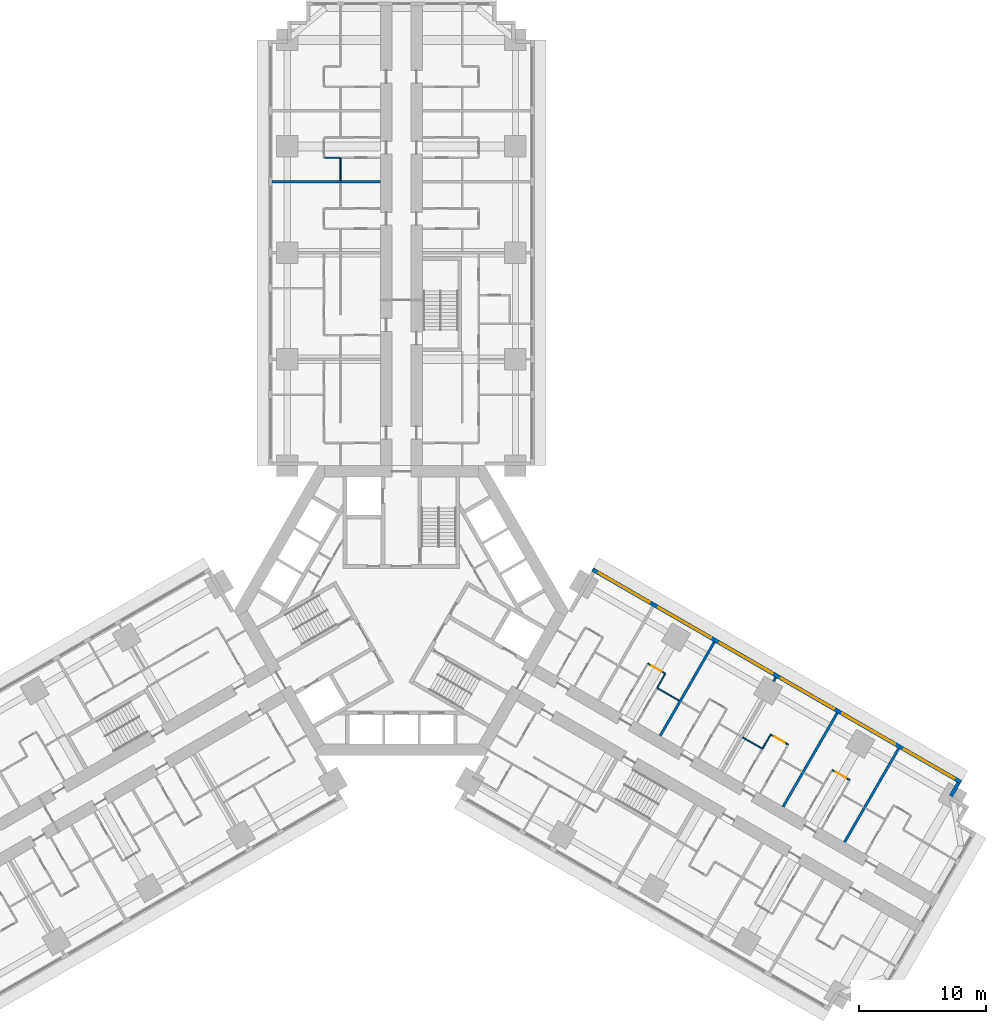
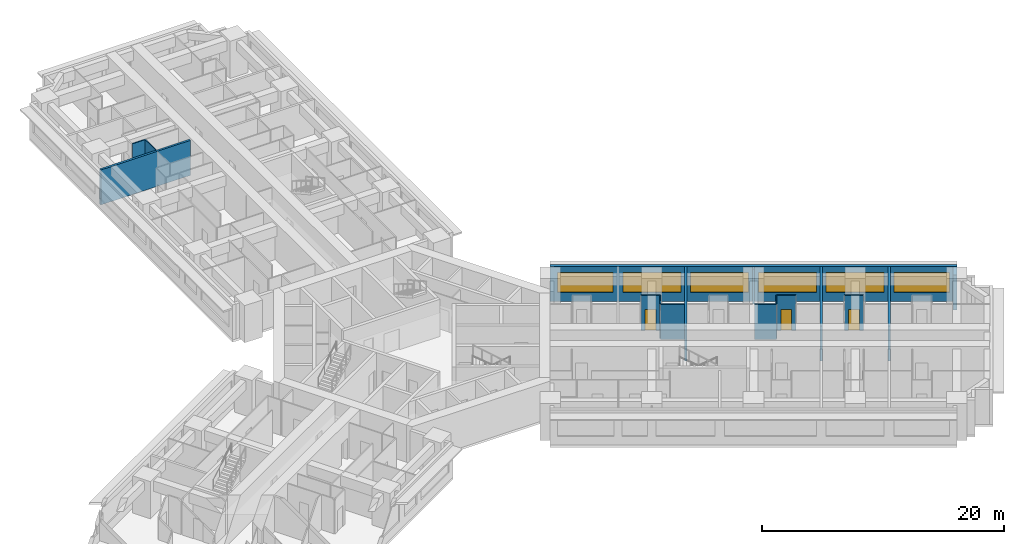
# One storey, part 13 of 16: 16 walls, 6 windows, 3 doors, 9 openings.
"""IFC4 building model written with IfcOpenShell, lengths in metres."""

from ifc_helpers import new_model, si_unit, direction, frame, frame_2d, origin, place, context, subcontext, project, spatial, rectangle, extrude, material, layer, layer_set, type_object, element, fill, save


model = new_model("IFC4")

# Units and contexts
model_context = context("Model", 3, precision=1e-05, world=origin(), true_north=direction((0.0, 1.0)))
body_context = subcontext(model_context, "Body", "Model", "MODEL_VIEW")
ifc_project = project(units=[si_unit("LENGTHUNIT", "METRE"), si_unit("AREAUNIT", "SQUARE_METRE"), si_unit("VOLUMEUNIT", "CUBIC_METRE"), si_unit("PLANEANGLEUNIT", "RADIAN"), si_unit("MASSUNIT", "GRAM", prefix="KILO")], contexts=[model_context])

# Site, building, storey
site_placement = place(None, origin())
site = spatial("IfcSite", under=ifc_project, at=site_placement, CompositionType="ELEMENT")
building_placement = place(site_placement, origin())
building = spatial("IfcBuilding", under=site, at=building_placement, Name="Impinga Residences", CompositionType="ELEMENT")
storey_placement = place(building_placement, frame((0.0, 0.0, 44.75)))
storey = spatial("IfcBuildingStorey", under=building, at=storey_placement, Name="L10", CompositionType="ELEMENT", Elevation=44.75)

# Wall, openings, windows
ifc_material_1 = material(Name="Terracotta rainscreen on blockwork", Category="masonry")
ifc_layer_1 = layer(ifc_material_1, 0.300048828125)
ifc_layer_set_1 = layer_set([ifc_layer_1], Name="EW1 external wall, terracotta rainscreen on blockwork 300")
wall_type_1 = type_object("IfcWallType", Name="EW1 external wall, terracotta rainscreen on blockwork 300", PredefinedType="SOLIDWALL", material=ifc_layer_set_1)
wall_1_placement = place(storey_placement, frame((15.074951171875, 3.24755859375, 0.0), z_axis=(0.0, 0.0, 1.0), x_axis=(0.866024291668, -0.500001926238, 0.0)))
wall_1 = element("IfcWall", 1, at=wall_1_placement, inside=storey, type_object=wall_type_1, Name="External wall EW1 L10", PredefinedType="SOLIDWALL", context=body_context, shape_type="SweptSolid", body=[
    extrude(rectangle(XDim=33.599853515625, YDim=0.300048828125, at=frame_2d((16.7998046875, 0.0))), origin(), (0.0, 0.0, 1.0), 3.530029296875),
])
opening_1_placement = place(wall_1_placement, frame((0.60009765625, 0.0, 0.89990234375)))
opening_1 = element("IfcOpeningElement", 2, at=opening_1_placement, cuts=wall_1, Name="Opening W3", PredefinedType="OPENING", context=body_context, shape_type="SweptSolid", body=[
    extrude(rectangle(XDim=4.60009765625, YDim=2.050048828125, at=frame_2d((2.300048828125, 1.02490234375))), frame((0.0, 0.159912109375, 0.0), z_axis=(0.0, -1.0, 0.0), x_axis=(1.0, 0.0, 0.0)), (0.0, 0.0, 1.0), 0.320068359375),
])
opening_2_placement = place(wall_1_placement, frame((6.0, 0.0, 0.89990234375)))
opening_2 = element("IfcOpeningElement", 3, at=opening_2_placement, cuts=wall_1, Name="Opening W8", PredefinedType="OPENING", context=body_context, shape_type="SweptSolid", body=[
    extrude(rectangle(XDim=4.800048828125, YDim=2.050048828125, at=frame_2d((2.39990234375, 1.02490234375))), frame((0.0, 0.159912109375, 0.0), z_axis=(0.0, -1.0, 0.0), x_axis=(1.0, 0.0, 0.0)), (0.0, 0.0, 1.0), 0.320068359375),
])
opening_3_placement = place(wall_1_placement, frame((11.60009765625, 0.0, 0.89990234375)))
opening_3 = element("IfcOpeningElement", 4, at=opening_3_placement, cuts=wall_1, Name="Opening W8", PredefinedType="OPENING", context=body_context, shape_type="SweptSolid", body=[
    extrude(rectangle(XDim=4.800048828125, YDim=2.050048828125, at=frame_2d((2.39990234375, 1.02490234375))), frame((0.0, 0.159912109375, 0.0), z_axis=(0.0, -1.0, 0.0), x_axis=(1.0, 0.0, 0.0)), (0.0, 0.0, 1.0), 0.320068359375),
])
opening_4_placement = place(wall_1_placement, frame((17.199951171875, 0.0, 0.89990234375)))
opening_4 = element("IfcOpeningElement", 5, at=opening_4_placement, cuts=wall_1, Name="Opening W8", PredefinedType="OPENING", context=body_context, shape_type="SweptSolid", body=[
    extrude(rectangle(XDim=4.800048828125, YDim=2.050048828125, at=frame_2d((2.39990234375, 1.02490234375))), frame((0.0, 0.159912109375, 0.0), z_axis=(0.0, -1.0, 0.0), x_axis=(1.0, 0.0, 0.0)), (0.0, 0.0, 1.0), 0.320068359375),
])
opening_5_placement = place(wall_1_placement, frame((22.800048828125, 0.0, 0.89990234375)))
opening_5 = element("IfcOpeningElement", 6, at=opening_5_placement, cuts=wall_1, Name="Opening W8", PredefinedType="OPENING", context=body_context, shape_type="SweptSolid", body=[
    extrude(rectangle(XDim=4.800048828125, YDim=2.050048828125, at=frame_2d((2.39990234375, 1.02490234375))), frame((0.0, 0.159912109375, 0.0), z_axis=(0.0, -1.0, 0.0), x_axis=(1.0, 0.0, 0.0)), (0.0, 0.0, 1.0), 0.320068359375),
])
opening_6_placement = place(wall_1_placement, frame((28.39990234375, 0.0, 0.89990234375)))
opening_6 = element("IfcOpeningElement", 7, at=opening_6_placement, cuts=wall_1, Name="Opening W3", PredefinedType="OPENING", context=body_context, shape_type="SweptSolid", body=[
    extrude(rectangle(XDim=4.60009765625, YDim=2.050048828125, at=frame_2d((2.300048828125, 1.02490234375))), frame((0.0, 0.159912109375, 0.0), z_axis=(0.0, -1.0, 0.0), x_axis=(1.0, 0.0, 0.0)), (0.0, 0.0, 1.0), 0.320068359375),
])
ifc_material_2 = material(Name="Aluminium window, clear double glazing", Category="aluminium")
window_type_1 = type_object("IfcWindowType", Name="W3 ribbon window 4600x2050", PartitioningType="SINGLE_PANEL", PredefinedType="WINDOW", material=ifc_material_2)
window_1_placement = place(opening_1_placement, origin())
window_1 = element("IfcWindow", 8, at=window_1_placement, inside=storey, type_object=window_type_1, Name="Window L10", OverallHeight=2.050048828125, OverallWidth=4.60009765625, PartitioningType="SINGLE_PANEL", PredefinedType="WINDOW", context=body_context, shape_type="SweptSolid", body=[
    extrude(rectangle(XDim=4.60009765625, YDim=2.050048828125, at=frame_2d((2.300048828125, 1.02490234375))), frame((0.0, 0.030029296875, 0.0), z_axis=(0.0, -1.0, 0.0), x_axis=(1.0, 0.0, 0.0)), (0.0, 0.0, 1.0), 0.06005859375),
])
fill(opening_1, window_1)
window_2_placement = place(opening_6_placement, origin())
window_2 = element("IfcWindow", 9, at=window_2_placement, inside=storey, type_object=window_type_1, Name="Window L10", OverallHeight=2.050048828125, OverallWidth=4.60009765625, PartitioningType="SINGLE_PANEL", PredefinedType="WINDOW", context=body_context, shape_type="SweptSolid", body=[
    extrude(rectangle(XDim=4.60009765625, YDim=2.050048828125, at=frame_2d((2.300048828125, 1.02490234375))), frame((0.0, 0.030029296875, 0.0), z_axis=(0.0, -1.0, 0.0), x_axis=(1.0, 0.0, 0.0)), (0.0, 0.0, 1.0), 0.06005859375),
])
fill(opening_6, window_2)
window_type_2 = type_object("IfcWindowType", Name="W8 ribbon window 4800x2050", PartitioningType="SINGLE_PANEL", PredefinedType="WINDOW", material=ifc_material_2)
window_3_placement = place(opening_2_placement, origin())
window_3 = element("IfcWindow", 10, at=window_3_placement, inside=storey, type_object=window_type_2, Name="Window L10", OverallHeight=2.050048828125, OverallWidth=4.800048828125, PartitioningType="SINGLE_PANEL", PredefinedType="WINDOW", context=body_context, shape_type="SweptSolid", body=[
    extrude(rectangle(XDim=4.800048828125, YDim=2.050048828125, at=frame_2d((2.39990234375, 1.02490234375))), frame((0.0, 0.030029296875, 0.0), z_axis=(0.0, -1.0, 0.0), x_axis=(1.0, 0.0, 0.0)), (0.0, 0.0, 1.0), 0.06005859375),
])
fill(opening_2, window_3)
window_4_placement = place(opening_3_placement, origin())
window_4 = element("IfcWindow", 11, at=window_4_placement, inside=storey, type_object=window_type_2, Name="Window L10", OverallHeight=2.050048828125, OverallWidth=4.800048828125, PartitioningType="SINGLE_PANEL", PredefinedType="WINDOW", context=body_context, shape_type="SweptSolid", body=[
    extrude(rectangle(XDim=4.800048828125, YDim=2.050048828125, at=frame_2d((2.39990234375, 1.02490234375))), frame((0.0, 0.030029296875, 0.0), z_axis=(0.0, -1.0, 0.0), x_axis=(1.0, 0.0, 0.0)), (0.0, 0.0, 1.0), 0.06005859375),
])
fill(opening_3, window_4)
window_5_placement = place(opening_4_placement, origin())
window_5 = element("IfcWindow", 12, at=window_5_placement, inside=storey, type_object=window_type_2, Name="Window L10", OverallHeight=2.050048828125, OverallWidth=4.800048828125, PartitioningType="SINGLE_PANEL", PredefinedType="WINDOW", context=body_context, shape_type="SweptSolid", body=[
    extrude(rectangle(XDim=4.800048828125, YDim=2.050048828125, at=frame_2d((2.39990234375, 1.02490234375))), frame((0.0, 0.030029296875, 0.0), z_axis=(0.0, -1.0, 0.0), x_axis=(1.0, 0.0, 0.0)), (0.0, 0.0, 1.0), 0.06005859375),
])
fill(opening_4, window_5)
window_6_placement = place(opening_5_placement, origin())
window_6 = element("IfcWindow", 13, at=window_6_placement, inside=storey, type_object=window_type_2, Name="Window L10", OverallHeight=2.050048828125, OverallWidth=4.800048828125, PartitioningType="SINGLE_PANEL", PredefinedType="WINDOW", context=body_context, shape_type="SweptSolid", body=[
    extrude(rectangle(XDim=4.800048828125, YDim=2.050048828125, at=frame_2d((2.39990234375, 1.02490234375))), frame((0.0, 0.030029296875, 0.0), z_axis=(0.0, -1.0, 0.0), x_axis=(1.0, 0.0, 0.0)), (0.0, 0.0, 1.0), 0.06005859375),
])
fill(opening_5, window_6)

# Walls
wall_2_placement = place(storey_placement, frame((43.968505859375, -13.607421875, 0.0), z_axis=(0.0, 0.0, 1.0), x_axis=(-0.500029051137, -0.866008630453, 0.0)))
element("IfcWall", 14, at=wall_2_placement, inside=storey, type_object=wall_type_1, Name="External wall EW1 L10", PredefinedType="SOLIDWALL", context=body_context, shape_type="SweptSolid", body=[
    extrude(rectangle(XDim=1.19482421875, YDim=0.300048828125, at=frame_2d((0.597412109375, 0.0))), origin(), (0.0, 0.0, 1.0), 3.530029296875),
])
ifc_material_3 = material(Name="Gypsum board on steel studs", Category="steel")
ifc_layer_2 = layer(ifc_material_3, 0.10009765625)
ifc_layer_set_2 = layer_set([ifc_layer_2], Name="Gypsum board on steel studs")
wall_type_2 = type_object("IfcWallType", Name="IP1 partition 100", PredefinedType="PARTITIONING", material=ifc_layer_set_2)
wall_3_placement = place(storey_placement, frame((-4.800048828125, 33.931640625, 0.0), z_axis=(0.0, 0.0, 1.0), x_axis=(0.0, 1.0, 0.0)))
element("IfcWall", 15, at=wall_3_placement, inside=storey, type_object=wall_type_2, Name="Partition L10-NA4:DIV0", PredefinedType="PARTITIONING", context=body_context, shape_type="SweptSolid", body=[
    extrude(rectangle(XDim=1.7998046875, YDim=0.10009765625, at=frame_2d((0.89990234375, 0.0))), origin(), (0.0, 0.0, 1.0), 3.530029296875),
])
wall_4_placement = place(storey_placement, frame((-4.85009765625, 35.7314453125, 0.0), z_axis=(0.0, 0.0, 1.0), x_axis=(-1.0, 0.0, 0.0)))
element("IfcWall", 16, at=wall_4_placement, inside=storey, type_object=wall_type_2, Name="Partition L10-NA4:SE0", PredefinedType="PARTITIONING", context=body_context, shape_type="SweptSolid", body=[
    extrude(rectangle(XDim=1.199951171875, YDim=0.10009765625, at=frame_2d((0.60009765625, 0.0))), origin(), (0.0, 0.0, 1.0), 3.530029296875),
])
wall_5_placement = place(storey_placement, frame((20.180908203125, -6.10888671875, 0.0), z_axis=(0.0, 0.0, 1.0), x_axis=(0.866010750942, -0.50002537861, 0.0)))
element("IfcWall", 17, at=wall_5_placement, inside=storey, type_object=wall_type_2, Name="Partition L10-EA2:DIV1", PredefinedType="PARTITIONING", context=body_context, shape_type="SweptSolid", body=[
    extrude(rectangle(XDim=2.0, YDim=0.10009765625, at=frame_2d((1.0, 0.0))), origin(), (0.0, 0.0, 1.0), 3.530029296875),
])

# Wall, opening, door
wall_6_placement = place(storey_placement, frame((19.4453125, -4.18310546875, 0.0), z_axis=(0.0, 0.0, 1.0), x_axis=(0.866055983265, -0.499947031044, 0.0)))
wall_6 = element("IfcWall", 18, at=wall_6_placement, inside=storey, type_object=wall_type_2, Name="Partition L10-EA2:STRIP", PredefinedType="PARTITIONING", context=body_context, shape_type="SweptSolid", body=[
    extrude(rectangle(XDim=1.599853515625, YDim=0.10009765625, at=frame_2d((0.7998046875, 0.0))), origin(), (0.0, 0.0, 1.0), 3.530029296875),
])
opening_7_placement = place(wall_6_placement, frame((0.35009765625, 0.0, 0.0)))
opening_7 = element("IfcOpeningElement", 19, at=opening_7_placement, cuts=wall_6, Name="Opening D2", PredefinedType="OPENING", context=body_context, shape_type="SweptSolid", body=[
    extrude(rectangle(XDim=0.89990234375, YDim=2.10009765625, at=frame_2d((0.449951171875, 1.050048828125))), frame((0.0, 0.06005859375, 0.0), z_axis=(0.0, -1.0, 0.0), x_axis=(1.0, 0.0, 0.0)), (0.0, 0.0, 1.0), 0.1201171875),
])
ifc_material_4 = material(Name="Timber door set", Category="wood")
door_type = type_object("IfcDoorType", Name="D2 internal door 900x2100", OperationType="SINGLE_SWING_LEFT", PredefinedType="DOOR", material=ifc_material_4)
door_1_placement = place(opening_7_placement, origin())
door_1 = element("IfcDoor", 20, at=door_1_placement, inside=storey, type_object=door_type, Name="Apartment L10-EA2 room door", OperationType="SINGLE_SWING_LEFT", OverallHeight=2.10009765625, OverallWidth=0.89990234375, PredefinedType="DOOR", context=body_context, shape_type="SweptSolid", body=[
    extrude(rectangle(XDim=0.89990234375, YDim=2.10009765625, at=frame_2d((0.449951171875, 1.050048828125))), frame((0.0, 0.02490234375, 0.0), z_axis=(0.0, -1.0, 0.0), x_axis=(1.0, 0.0, 0.0)), (0.0, 0.0, 1.0), 0.050048828125),
])
fill(opening_7, door_1)

# Walls
wall_7_placement = place(storey_placement, frame((20.205810546875, -6.0654296875, 0.0), z_axis=(0.0, 0.0, 1.0), x_axis=(0.50012165622, 0.865955154139, 0.0)))
element("IfcWall", 21, at=wall_7_placement, inside=storey, type_object=wall_type_2, Name="Partition L10-EA2:SE1", PredefinedType="PARTITIONING", context=body_context, shape_type="SweptSolid", body=[
    extrude(rectangle(XDim=1.199951171875, YDim=0.10009765625, at=frame_2d((0.60009765625, 0.0))), origin(), (0.0, 0.0, 1.0), 3.530029296875),
])
wall_8_placement = place(storey_placement, frame((26.935791015625, -10.0087890625, 0.0), z_axis=(0.0, 0.0, 1.0), x_axis=(0.865989075817, -0.500062916607, 0.0)))
element("IfcWall", 22, at=wall_8_placement, inside=storey, type_object=wall_type_2, Name="Partition L10-EA4:DIV0", PredefinedType="PARTITIONING", context=body_context, shape_type="SweptSolid", body=[
    extrude(rectangle(XDim=1.800048828125, YDim=0.10009765625, at=frame_2d((0.89990234375, 0.0))), origin(), (0.0, 0.0, 1.0), 3.530029296875),
])

# Wall, opening, door
wall_9_placement = place(storey_placement, frame((29.144775390625, -9.782958984375, 0.0), z_axis=(0.0, 0.0, 1.0), x_axis=(0.865989903783, -0.500061482766, 0.0)))
wall_9 = element("IfcWall", 23, at=wall_9_placement, inside=storey, type_object=wall_type_2, Name="Partition L10-EA4:STRIP", PredefinedType="PARTITIONING", context=body_context, shape_type="SweptSolid", body=[
    extrude(rectangle(XDim=1.599853515625, YDim=0.10009765625, at=frame_2d((0.7998046875, 0.0))), origin(), (0.0, 0.0, 1.0), 3.530029296875),
])
opening_8_placement = place(wall_9_placement, frame((0.35009765625, 0.0, 0.0)))
opening_8 = element("IfcOpeningElement", 24, at=opening_8_placement, cuts=wall_9, Name="Opening D2", PredefinedType="OPENING", context=body_context, shape_type="SweptSolid", body=[
    extrude(rectangle(XDim=0.89990234375, YDim=2.10009765625, at=frame_2d((0.449951171875, 1.050048828125))), frame((0.0, 0.06005859375, 0.0), z_axis=(0.0, -1.0, 0.0), x_axis=(1.0, 0.0, 0.0)), (0.0, 0.0, 1.0), 0.1201171875),
])
door_2_placement = place(opening_8_placement, origin())
door_2 = element("IfcDoor", 25, at=door_2_placement, inside=storey, type_object=door_type, Name="Apartment L10-EA4 room door", OperationType="SINGLE_SWING_LEFT", OverallHeight=2.10009765625, OverallWidth=0.89990234375, PredefinedType="DOOR", context=body_context, shape_type="SweptSolid", body=[
    extrude(rectangle(XDim=0.89990234375, YDim=2.10009765625, at=frame_2d((0.449951171875, 1.050048828125))), frame((0.0, 0.02490234375, 0.0), z_axis=(0.0, -1.0, 0.0), x_axis=(1.0, 0.0, 0.0)), (0.0, 0.0, 1.0), 0.050048828125),
])
fill(opening_8, door_2)

# Wall
wall_10_placement = place(storey_placement, frame((28.519775390625, -10.865478515625, 0.0), z_axis=(0.0, 0.0, 1.0), x_axis=(0.499969057507, 0.866043267704, 0.0)))
element("IfcWall", 26, at=wall_10_placement, inside=storey, type_object=wall_type_2, Name="Partition L10-EA4:SE0", PredefinedType="PARTITIONING", context=body_context, shape_type="SweptSolid", body=[
    extrude(rectangle(XDim=1.19970703125, YDim=0.10009765625, at=frame_2d((0.599853515625, 0.0))), origin(), (0.0, 0.0, 1.0), 3.530029296875),
])

# Wall, opening, door
wall_11_placement = place(storey_placement, frame((33.994384765625, -12.5830078125, 0.0), z_axis=(0.0, 0.0, 1.0), x_axis=(0.866028054938, -0.499995408039, 0.0)))
wall_11 = element("IfcWall", 27, at=wall_11_placement, inside=storey, type_object=wall_type_2, Name="Partition L10-EA5:STRIP", PredefinedType="PARTITIONING", context=body_context, shape_type="SweptSolid", body=[
    extrude(rectangle(XDim=1.60009765625, YDim=0.10009765625, at=frame_2d((0.800048828125, 0.0))), origin(), (0.0, 0.0, 1.0), 3.530029296875),
])
opening_9_placement = place(wall_11_placement, frame((0.35009765625, 0.0, 0.0)))
opening_9 = element("IfcOpeningElement", 28, at=opening_9_placement, cuts=wall_11, Name="Opening D2", PredefinedType="OPENING", context=body_context, shape_type="SweptSolid", body=[
    extrude(rectangle(XDim=0.89990234375, YDim=2.10009765625, at=frame_2d((0.449951171875, 1.050048828125))), frame((0.0, 0.06005859375, 0.0), z_axis=(0.0, -1.0, 0.0), x_axis=(1.0, 0.0, 0.0)), (0.0, 0.0, 1.0), 0.1201171875),
])
door_3_placement = place(opening_9_placement, origin())
door_3 = element("IfcDoor", 29, at=door_3_placement, inside=storey, type_object=door_type, Name="Apartment L10-EA5 room door", OperationType="SINGLE_SWING_LEFT", OverallHeight=2.10009765625, OverallWidth=0.89990234375, PredefinedType="DOOR", context=body_context, shape_type="SweptSolid", body=[
    extrude(rectangle(XDim=0.89990234375, YDim=2.10009765625, at=frame_2d((0.449951171875, 1.050048828125))), frame((0.0, 0.02490234375, 0.0), z_axis=(0.0, -1.0, 0.0), x_axis=(1.0, 0.0, 0.0)), (0.0, 0.0, 1.0), 0.050048828125),
])
fill(opening_9, door_3)

# Walls
ifc_material_5 = material(Name="Concrete blockwork", Category="masonry")
ifc_layer_3 = layer(ifc_material_5, 0.199951171875)
ifc_layer_set_3 = layer_set([ifc_layer_3], Name="PW1 party wall between apartments 200")
wall_type_3 = type_object("IfcWallType", Name="PW1 party wall between apartments 200", PredefinedType="SOLIDWALL", material=ifc_layer_set_3)
wall_12_placement = place(storey_placement, frame((-1.64990234375, 33.83154296875, 0.0), z_axis=(0.0, 0.0, 1.0), x_axis=(-1.0, 0.0, 0.0)))
element("IfcWall", 30, at=wall_12_placement, inside=storey, type_object=wall_type_3, Name="Party wall between apartments L10-NA3:PARTY", PredefinedType="SOLIDWALL", context=body_context, shape_type="SweptSolid", body=[
    extrude(rectangle(XDim=8.550048828125, YDim=0.199951171875, at=frame_2d((4.27490234375, 0.0))), origin(), (0.0, 0.0, 1.0), 3.530029296875),
])
wall_13_placement = place(storey_placement, frame((20.424560546875, -9.88671875, 0.0), z_axis=(0.0, 0.0, 1.0), x_axis=(0.500002592159, 0.866023907196, 0.0)))
element("IfcWall", 31, at=wall_13_placement, inside=storey, type_object=wall_type_3, Name="Party wall between apartments L10-EA2:PARTY", PredefinedType="SOLIDWALL", context=body_context, shape_type="SweptSolid", body=[
    extrude(rectangle(XDim=8.5498046875, YDim=0.199951171875, at=frame_2d((4.27490234375, 0.0))), origin(), (0.0, 0.0, 1.0), 3.530029296875),
])
wall_14_placement = place(storey_placement, frame((29.374267578125, -5.58544921875, 0.0), z_axis=(0.0, 0.0, 1.0), x_axis=(0.49996389635, 0.866046247233, 0.0)))
element("IfcWall", 32, at=wall_14_placement, inside=storey, type_object=wall_type_3, Name="Party wall between apartments L10-EA3:PARTYb", PredefinedType="SOLIDWALL", context=body_context, shape_type="SweptSolid", body=[
    extrude(rectangle(XDim=0.35009765625, YDim=0.199951171875, at=frame_2d((0.175048828125, 0.0))), origin(), (0.0, 0.0, 1.0), 3.530029296875),
])
for number, where, z_axis, x_axis, name in (
    (33, (30.1240234375, -15.48681640625, 0.0), (0.0, 0.0, 1.0), (0.499990227581, 0.86603104582, 0.0), "Party wall between apartments L10-EA4:PARTY"),
    (34, (34.9736328125, -18.286865234375, 0.0), (0.0, 0.0, 1.0), (0.500011643316, 0.866018681408, 0.0), "Party wall between apartments L10-EA5:PARTY"),
):
    element("IfcWall", number, at=place(storey_placement, frame(where, z_axis=z_axis, x_axis=x_axis)), inside=storey, type_object=wall_type_3, Name=name, PredefinedType="SOLIDWALL", context=body_context, shape_type="SweptSolid", body=[
        extrude(rectangle(XDim=8.550048828125, YDim=0.199951171875, at=frame_2d((4.27490234375, 0.0))), origin(), (0.0, 0.0, 1.0), 3.530029296875),
    ])

save(model, "model.ifc")
